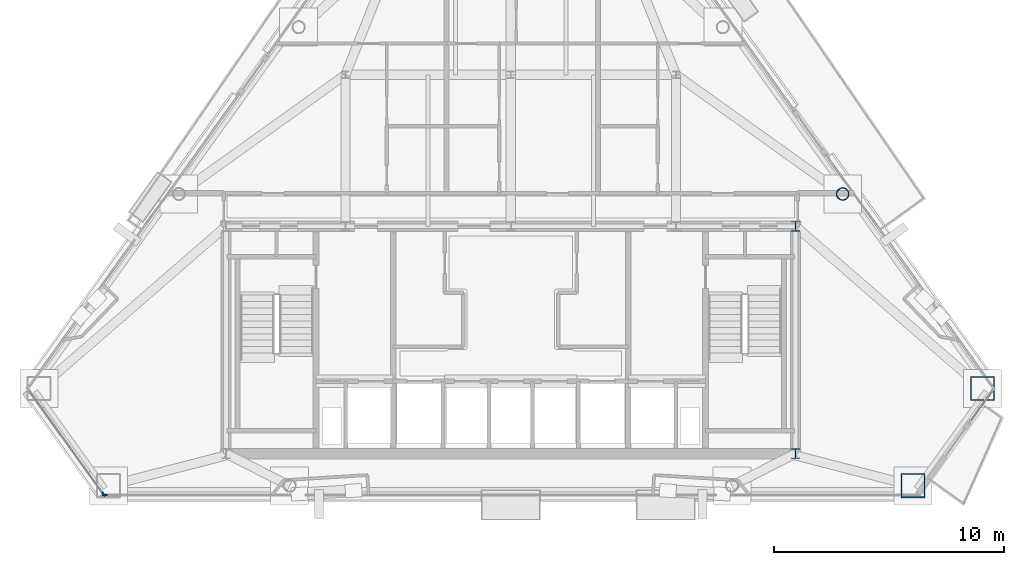
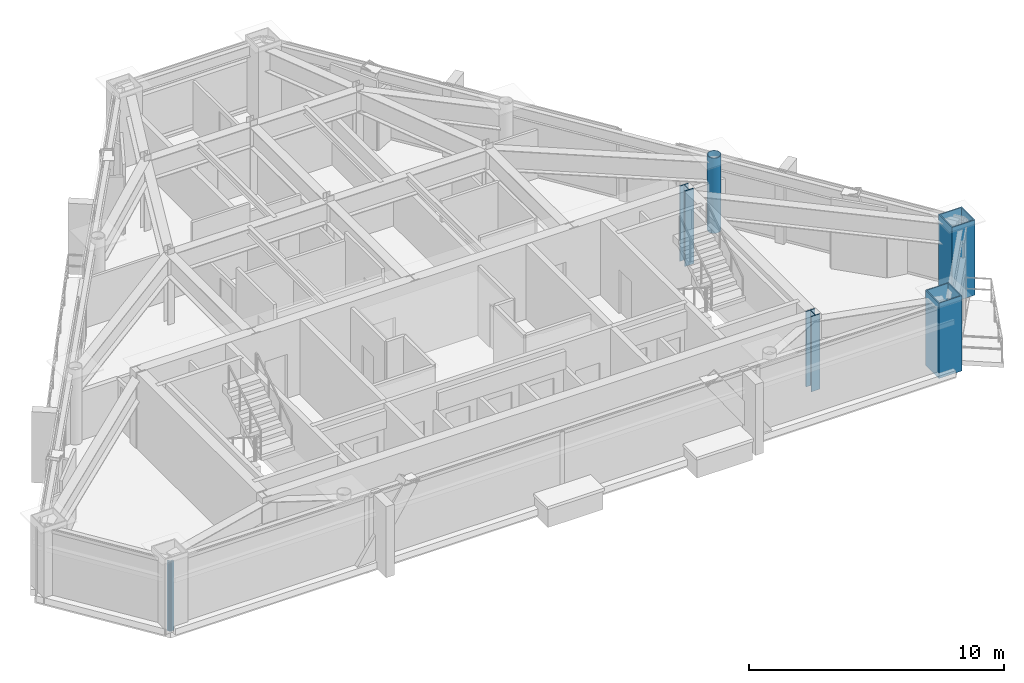
# One storey, part 2 of 11: 5 columns, 2 members, 2 elements without a shape of their own.
"""IFC4 building model written with IfcOpenShell, lengths in metres."""

from ifc_helpers import new_model, si_unit, direction, frame, origin, origin_2d, place, context, subcontext, project, spatial, rectangle, hollow_rectangle, hollow_circle, i_section, extrude, material, layer, layer_set, material_profile, profile_set, type_object, element, aggregate, save


model = new_model("IFC4")

# Units and contexts
model_context = context("Model", 3, precision=1e-05, world=origin(), true_north=direction((0.0, 1.0)))
body_context = subcontext(model_context, "Body", "Model", "MODEL_VIEW")
ifc_project = project(units=[si_unit("LENGTHUNIT", "METRE"), si_unit("AREAUNIT", "SQUARE_METRE"), si_unit("VOLUMEUNIT", "CUBIC_METRE"), si_unit("PLANEANGLEUNIT", "RADIAN"), si_unit("MASSUNIT", "GRAM", prefix="KILO")], contexts=[model_context])

# Site, building, storey
site_placement = place(None, origin())
site = spatial("IfcSite", under=ifc_project, at=site_placement, CompositionType="ELEMENT")
building_placement = place(site_placement, origin())
building = spatial("IfcBuilding", under=site, at=building_placement, Name="Talgorran Terracotta Tower", CompositionType="ELEMENT")
storey_placement = place(building_placement, frame((0.0, 0.0, 214.5)))
storey = spatial("IfcBuildingStorey", under=building, at=storey_placement, Name="L56", CompositionType="ELEMENT", Elevation=214.5)

# Columns
ifc_material_1 = material(Name="Steel S355 (300PLUS)", Category="steel")
ifc_material_profile_1 = material_profile(ifc_material_1, i_section(OverallWidth=0.39990234375, OverallDepth=0.43994140625, WebThickness=0.028076171875, FlangeThickness=0.0400390625, at=origin_2d()), Name="400WC328")
ifc_profile_set_1 = profile_set([ifc_material_profile_1], Name="Steel S355 (300PLUS)")
column_type_1 = type_object("IfcColumnType", Name="COL_400WC328", PredefinedType="COLUMN", material=ifc_profile_set_1)
for number, where, z_axis, x_axis, name in (
    (1, (12.39990234375, -14.10009765625, 0.0), (0.0, 0.0, 1.0), (1.0, 0.0, 0.0), "L56 Core Boundary Column CC2"),
    (2, (12.39990234375, -4.199951171875, 0.0), (0.0, 0.0, 1.0), (1.0, 0.0, 0.0), "L56 Core Boundary Column CC3"),
):
    element("IfcColumn", number, at=place(storey_placement, frame(where, z_axis=z_axis, x_axis=x_axis)), inside=storey, type_object=column_type_1, Name=name, PredefinedType="COLUMN", context=body_context, shape_type="SweptSolid", body=[
        extrude(i_section(OverallWidth=0.39990234375, OverallDepth=0.43994140625, WebThickness=0.028076171875, FlangeThickness=0.0400390625, at=origin_2d()), origin(), (0.0, 0.0, 1.0), 3.60009765625),
    ])
ifc_material_2 = material(Name="Steel Grade 350 (350L0)", Category="steel")
ifc_material_profile_2 = material_profile(ifc_material_2, hollow_rectangle(XDim=1.050048828125, YDim=1.050048828125, WallThickness=0.044921875, at=origin_2d()), Name="CFT1050X1050X45")
ifc_profile_set_2 = profile_set([ifc_material_profile_2], Name="Steel Grade 350 (350L0)")
column_type_2 = type_object("IfcColumnType", Name="COL_CFT_1050", PredefinedType="COLUMN", material=ifc_profile_set_2)
for number, where, z_axis, x_axis, name in (
    (3, (17.5107421875, -15.49658203125, 0.0), (0.0, 0.0, 1.0), (1.0, 0.0, 0.0), "L56 Corner CFT Mega-Column MC3"),
    (4, (20.54833984375, -11.26953125, 0.0), (0.0, 0.0, 1.0), (1.0, 0.0, 0.0), "L56 Corner CFT Mega-Column MC4"),
):
    element("IfcColumn", number, at=place(storey_placement, frame(where, z_axis=z_axis, x_axis=x_axis)), inside=storey, type_object=column_type_2, Name=name, PredefinedType="COLUMN", context=body_context, shape_type="SweptSolid", body=[
        extrude(hollow_rectangle(XDim=1.050048828125, YDim=1.050048828125, WallThickness=0.044921875, at=origin_2d()), origin(), (0.0, 0.0, 1.0), 3.60009765625),
    ])
ifc_material_profile_3 = material_profile(ifc_material_2, hollow_circle(Radius=0.27490234375, WallThickness=0.02392578125, at=origin_2d()), Name="CHS550X24")
ifc_profile_set_3 = profile_set([ifc_material_profile_3], Name="Steel Grade 350 (350L0)")
column_type_3 = type_object("IfcColumnType", Name="COL_CHS_550", PredefinedType="COLUMN", material=ifc_profile_set_3)
column_placement = place(storey_placement, frame((14.45703125, -2.79296875, 0.0), z_axis=(0.0, 0.0, 1.0), x_axis=(1.0, 0.0, 0.0)))
element("IfcColumn", 5, at=column_placement, inside=storey, type_object=column_type_3, Name="L56 Facet Perimeter Column FC3", PredefinedType="COLUMN", context=body_context, shape_type="SweptSolid", body=[
    extrude(hollow_circle(Radius=0.27490234375, WallThickness=0.02392578125, at=origin_2d()), origin(), (0.0, 0.0, 1.0), 3.60009765625),
])

# Curtain wall, member
ifc_material_3 = material(Name="High-Wind Unitised Glazing", Category="glass")
ifc_layer = layer(ifc_material_3, 0.2099609375, Name="CW_SYS3_RES_HIGH")
ifc_layer_set = layer_set([ifc_layer], Name="High-Wind Unitised Glazing")
curtain_wall_type = type_object("IfcCurtainWallType", Name="CW_SYS3_RES_HIGH", PredefinedType="NOTDEFINED", material=ifc_layer_set)
curtain_wall_1_placement = place(storey_placement, origin())
curtain_wall_1 = element("IfcCurtainWall", 6, at=curtain_wall_1_placement, inside=storey, type_object=curtain_wall_type, Name="CW-L56-F0", PredefinedType="NOTDEFINED")
ifc_material_4 = material(Name="Architectural Aluminium 6063-T6", Category="aluminium")
ifc_material_profile_4 = material_profile(ifc_material_4, rectangle(XDim=0.070068359375, YDim=0.199951171875, at=origin_2d()), Name="CWM70X200")
ifc_profile_set_4 = profile_set([ifc_material_profile_4], Name="Architectural Aluminium 6063-T6")
member_type = type_object("IfcMemberType", Name="MUL_70X200", PredefinedType="MULLION", material=ifc_profile_set_4)
member_1_placement = place(storey_placement, frame((-17.736328125, -15.8681640625, 0.0), z_axis=(0.0, 0.0, 1.0), x_axis=(0.812075928954, 0.58355178486, 0.0)))
member_1 = element("IfcMember", 7, at=member_1_placement, type_object=member_type, Name="CW-L56-0 mullion 2", PredefinedType="MULLION", context=body_context, shape_type="SweptSolid", body=[
    extrude(rectangle(XDim=0.070068359375, YDim=0.199951171875, at=origin_2d()), origin(), (0.0, 0.0, 1.0), 3.344970703125),
])
aggregate(curtain_wall_1, [member_1])

curtain_wall_2_placement = place(storey_placement, origin())
curtain_wall_2 = element("IfcCurtainWall", 8, at=curtain_wall_2_placement, inside=storey, type_object=curtain_wall_type, Name="CW-L56-F1", PredefinedType="NOTDEFINED")
member_2_placement = place(storey_placement, frame((-17.680908203125, -15.896728515625, 0.0), z_axis=(0.0, 0.0, 1.0), x_axis=(0.0, 1.0, 0.0)))
member_2 = element("IfcMember", 9, at=member_2_placement, type_object=member_type, Name="CW-L56-1 mullion 1", PredefinedType="MULLION", context=body_context, shape_type="SweptSolid", body=[
    extrude(rectangle(XDim=0.070068359375, YDim=0.199951171875, at=origin_2d()), origin(), (0.0, 0.0, 1.0), 3.344970703125),
])
aggregate(curtain_wall_2, [member_2])

save(model, "model.ifc")
